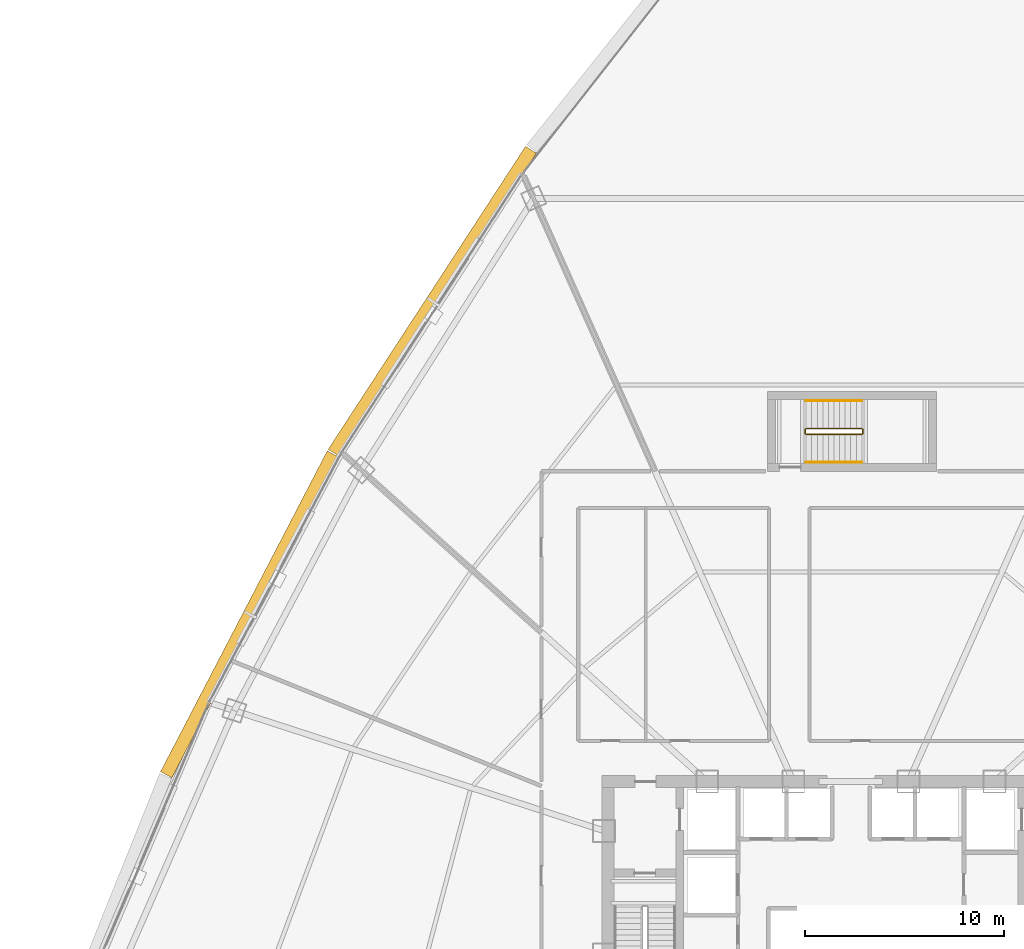
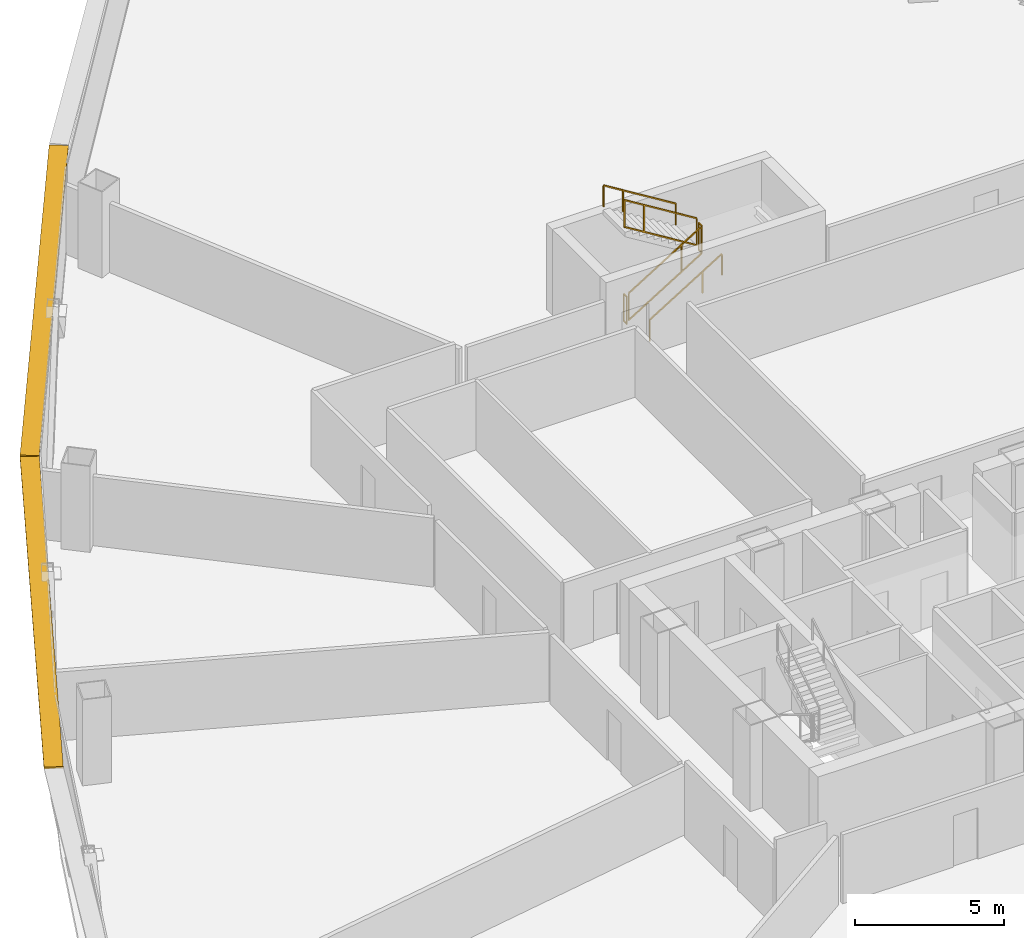
# One storey, part 40 of 41: 6 railings, 2 shading devices.
"""IFC4 building model written with IfcOpenShell, lengths in metres."""

from ifc_helpers import new_model, si_unit, direction, frame, origin, origin_2d, place, context, subcontext, project, spatial, rectangle, extrude, source, transform, mapped, material, layer, layer_set, type_object, element, save


model = new_model("IFC4")

# Units and contexts
model_context = context("Model", 3, precision=1e-05, world=origin(), true_north=direction((0.0, 1.0)))
body_context = subcontext(model_context, "Body", "Model", "MODEL_VIEW")
ifc_project = project(units=[si_unit("LENGTHUNIT", "METRE"), si_unit("AREAUNIT", "SQUARE_METRE"), si_unit("VOLUMEUNIT", "CUBIC_METRE"), si_unit("PLANEANGLEUNIT", "RADIAN"), si_unit("MASSUNIT", "GRAM", prefix="KILO"), si_unit("THERMODYNAMICTEMPERATUREUNIT", "KELVIN"), si_unit("POWERUNIT", "WATT")], contexts=[model_context])

# Site, building, storey
site_placement = place(None, origin())
site = spatial("IfcSite", under=ifc_project, at=site_placement, CompositionType="ELEMENT")
building_placement = place(site_placement, origin())
building = spatial("IfcBuilding", under=site, at=building_placement, Name="Yunzhuo Pagoda Commons", CompositionType="ELEMENT")
storey_placement = place(building_placement, frame((0.0, 0.0, 115.3798828125)))
storey = spatial("IfcBuildingStorey", under=building, at=storey_placement, Name="L29", CompositionType="ELEMENT", Elevation=115.3798828125)

# Railings
ifc_material = material(Name="Anodized aluminium 6063-T6", Category="aluminium")
railing_type_1 = type_object("IfcRailingType", Name="GR-ST3 North Well Guardrail 1155", PredefinedType="GUARDRAIL", material=ifc_material)
railing_1_placement = place(storey_placement, frame((45.75, 57.64990234375, 0.1728515625)))
element("IfcRailing", 1, at=railing_1_placement, inside=storey, type_object=railing_type_1, Name="L29 ST3 stair guard 1", PredefinedType="GUARDRAIL", context=body_context, shape_type="SweptSolid", body=[
    extrude(rectangle(XDim=0.048095703125, YDim=0.048095703125, at=origin_2d()), frame((0.0, 0.0, 1.1259765625), z_axis=(0.851089632645, 0.0, 0.525020415988), x_axis=(0.0, 1.0, 0.0)), (0.0, 0.0, 1.0), 3.2900390625),
    extrude(rectangle(XDim=0.048095703125, YDim=0.048095703125, at=origin_2d()), frame((0.0, 0.0, 0.02392578125), z_axis=(0.851089632645, 0.0, 0.525020415988), x_axis=(0.0, 1.0, 0.0)), (0.0, 0.0, 1.0), 3.2900390625),
    extrude(rectangle(XDim=0.0419921875, YDim=0.0419921875, at=origin_2d()), origin(), (0.0, 0.0, 1.0), 1.101806640625),
    extrude(rectangle(XDim=0.0419921875, YDim=0.0419921875, at=origin_2d()), frame((2.042724609375, 0.0, 1.260009765625)), (0.0, 0.0, 1.0), 1.101806640625),
    extrude(rectangle(XDim=0.0419921875, YDim=0.0419921875, at=origin_2d()), frame((2.800048828125, 0.0, 1.727294921875)), (0.0, 0.0, 1.0), 1.101806640625),
])
railing_2_placement = place(storey_placement, frame((48.60009765625, 57.699951171875, 1.900146484375)))
element("IfcRailing", 2, at=railing_2_placement, inside=storey, type_object=railing_type_1, Name="L29 ST3 stair guard 2", PredefinedType="GUARDRAIL", context=body_context, shape_type="SweptSolid", body=[
    extrude(rectangle(XDim=0.048095703125, YDim=0.048095703125, at=origin_2d()), frame((0.0, 0.0, 1.1259765625), z_axis=(0.0, 1.0, 0.0), x_axis=(-1.0, 0.0, 0.0)), (0.0, 0.0, 1.0), 0.199951171875),
    extrude(rectangle(XDim=0.048095703125, YDim=0.048095703125, at=origin_2d()), frame((0.0, 0.0, 0.02392578125), z_axis=(0.0, 1.0, 0.0), x_axis=(-1.0, 0.0, 0.0)), (0.0, 0.0, 1.0), 0.199951171875),
    extrude(rectangle(XDim=0.0419921875, YDim=0.0419921875, at=origin_2d()), origin(), (0.0, 0.0, 1.0), 1.101806640625),
    extrude(rectangle(XDim=0.0419921875, YDim=0.0419921875, at=origin_2d()), frame((0.0, 0.199951171875, 0.0)), (0.0, 0.0, 1.0), 1.101806640625),
])
railing_3_placement = place(storey_placement, frame((48.550048828125, 57.949951171875, 2.07275390625)))
element("IfcRailing", 3, at=railing_3_placement, inside=storey, type_object=railing_type_1, Name="L29 ST3 stair guard 3", PredefinedType="GUARDRAIL", context=body_context, shape_type="SweptSolid", body=[
    extrude(rectangle(XDim=0.048095703125, YDim=0.048095703125, at=origin_2d()), frame((0.0, 0.0, 1.1259765625), z_axis=(-0.851089632645, 0.0, 0.525020415988), x_axis=(0.0, -1.0, 0.0)), (0.0, 0.0, 1.0), 3.2900390625),
    extrude(rectangle(XDim=0.048095703125, YDim=0.048095703125, at=origin_2d()), frame((0.0, 0.0, 0.02392578125), z_axis=(-0.851089632645, 0.0, 0.525020415988), x_axis=(0.0, -1.0, 0.0)), (0.0, 0.0, 1.0), 3.2900390625),
    extrude(rectangle(XDim=0.0419921875, YDim=0.0419921875, at=origin_2d()), origin(), (0.0, 0.0, 1.0), 1.101806640625),
    extrude(rectangle(XDim=0.0419921875, YDim=0.0419921875, at=origin_2d()), frame((-2.042724609375, 0.0, 1.260009765625)), (0.0, 0.0, 1.0), 1.101806640625),
    extrude(rectangle(XDim=0.0419921875, YDim=0.0419921875, at=origin_2d()), frame((-2.800048828125, 0.0, 1.727294921875)), (0.0, 0.0, 1.0), 1.101806640625),
])
railing_4_placement = place(storey_placement, frame((45.699951171875, 57.699951171875, 0.0)))
element("IfcRailing", 4, at=railing_4_placement, inside=storey, type_object=railing_type_1, Name="L29 ST3 stair guard 4", PredefinedType="GUARDRAIL", context=body_context, shape_type="SweptSolid", body=[
    extrude(rectangle(XDim=0.048095703125, YDim=0.048095703125, at=origin_2d()), frame((0.0, 0.0, 1.1259765625), z_axis=(0.0, 1.0, 0.0), x_axis=(-1.0, 0.0, 0.0)), (0.0, 0.0, 1.0), 0.199951171875),
    extrude(rectangle(XDim=0.048095703125, YDim=0.048095703125, at=origin_2d()), frame((0.0, 0.0, 0.02392578125), z_axis=(0.0, 1.0, 0.0), x_axis=(-1.0, 0.0, 0.0)), (0.0, 0.0, 1.0), 0.199951171875),
    extrude(rectangle(XDim=0.0419921875, YDim=0.0419921875, at=origin_2d()), origin(), (0.0, 0.0, 1.0), 1.101806640625),
    extrude(rectangle(XDim=0.0419921875, YDim=0.0419921875, at=origin_2d()), frame((0.0, 0.199951171875, 0.0)), (0.0, 0.0, 1.0), 1.101806640625),
])
railing_type_2 = type_object("IfcRailingType", Name="HR-ST3 North Stair Handrail 900", PredefinedType="HANDRAIL", material=ifc_material)
railing_5_placement = place(storey_placement, frame((45.75, 56.25, 0.1728515625)))
element("IfcRailing", 5, at=railing_5_placement, inside=storey, type_object=railing_type_2, Name="L29 ST3 stair handrail 1", PredefinedType="HANDRAIL", context=body_context, shape_type="SweptSolid", body=[
    extrude(rectangle(XDim=0.048095703125, YDim=0.048095703125, at=origin_2d()), frame((0.0, 0.0, 0.8759765625), z_axis=(0.851089632645, 0.0, 0.525020415988), x_axis=(0.0, 1.0, 0.0)), (0.0, 0.0, 1.0), 3.2900390625),
    extrude(rectangle(XDim=0.0419921875, YDim=0.0419921875, at=origin_2d()), origin(), (0.0, 0.0, 1.0), 0.851806640625),
    extrude(rectangle(XDim=0.0419921875, YDim=0.0419921875, at=origin_2d()), frame((2.042724609375, 0.0, 1.260009765625)), (0.0, 0.0, 1.0), 0.851806640625),
    extrude(rectangle(XDim=0.0419921875, YDim=0.0419921875, at=origin_2d()), frame((2.800048828125, 0.0, 1.727294921875)), (0.0, 0.0, 1.0), 0.851806640625),
])
railing_6_placement = place(storey_placement, frame((48.550048828125, 59.35009765625, 2.07275390625)))
element("IfcRailing", 6, at=railing_6_placement, inside=storey, type_object=railing_type_2, Name="L29 ST3 stair handrail 2", PredefinedType="HANDRAIL", context=body_context, shape_type="SweptSolid", body=[
    extrude(rectangle(XDim=0.048095703125, YDim=0.048095703125, at=origin_2d()), frame((0.0, 0.0, 0.8759765625), z_axis=(-0.851089632645, 0.0, 0.525020415988), x_axis=(0.0, -1.0, 0.0)), (0.0, 0.0, 1.0), 3.2900390625),
    extrude(rectangle(XDim=0.0419921875, YDim=0.0419921875, at=origin_2d()), origin(), (0.0, 0.0, 1.0), 0.851806640625),
    extrude(rectangle(XDim=0.0419921875, YDim=0.0419921875, at=origin_2d()), frame((-2.042724609375, 0.0, 1.260009765625)), (0.0, 0.0, 1.0), 0.851806640625),
    extrude(rectangle(XDim=0.0419921875, YDim=0.0419921875, at=origin_2d()), frame((-2.800048828125, 0.0, 1.727294921875)), (0.0, 0.0, 1.0), 0.851806640625),
])

# Shading devices
ifc_layer = layer(ifc_material, 0.080078125)
ifc_layer_set = layer_set([ifc_layer], Name="Anodized aluminium 6063-T6")
shading_device_type = type_object("IfcShadingDeviceType", Name="SH-SUN1 Pagoda Horizontal Sunshade Eave 650", PredefinedType="USERDEFINED", material=ifc_layer_set)
shared_shape = source(origin(), body_context, "Body", "SweptSolid", [
    extrude(rectangle(XDim=18.1748046875, YDim=0.64990234375, at=origin_2d()), origin(), (0.0, 0.0, 1.0), 0.080078125),
])
for number, where, z_axis, x_axis, name in (
    (7, (26.9619140625, 64.34228515625, 3.440185546875), (0.0, 0.0, 1.0), (-0.545838756973, -0.837890238269, 0.0), "L29 horizontal pagoda sunshade eave F3.2"),
    (8, (17.7783203125, 48.610107421875, 3.440185546875), (0.0, 0.0, 1.0), (-0.461206683033, -0.88729273384, 0.0), "L29 horizontal pagoda sunshade eave F3.3"),
):
    element("IfcShadingDevice", number, at=place(storey_placement, frame(where, z_axis=z_axis, x_axis=x_axis)), inside=storey, type_object=shading_device_type, Name=name, ObjectType="SUNSHADE", PredefinedType="USERDEFINED", context=body_context, shape_type="MappedRepresentation", body=[
        mapped(shared_shape, transform((0.0, 0.0, 0.0), scale=1.0)),
    ])

save(model, "model.ifc")
